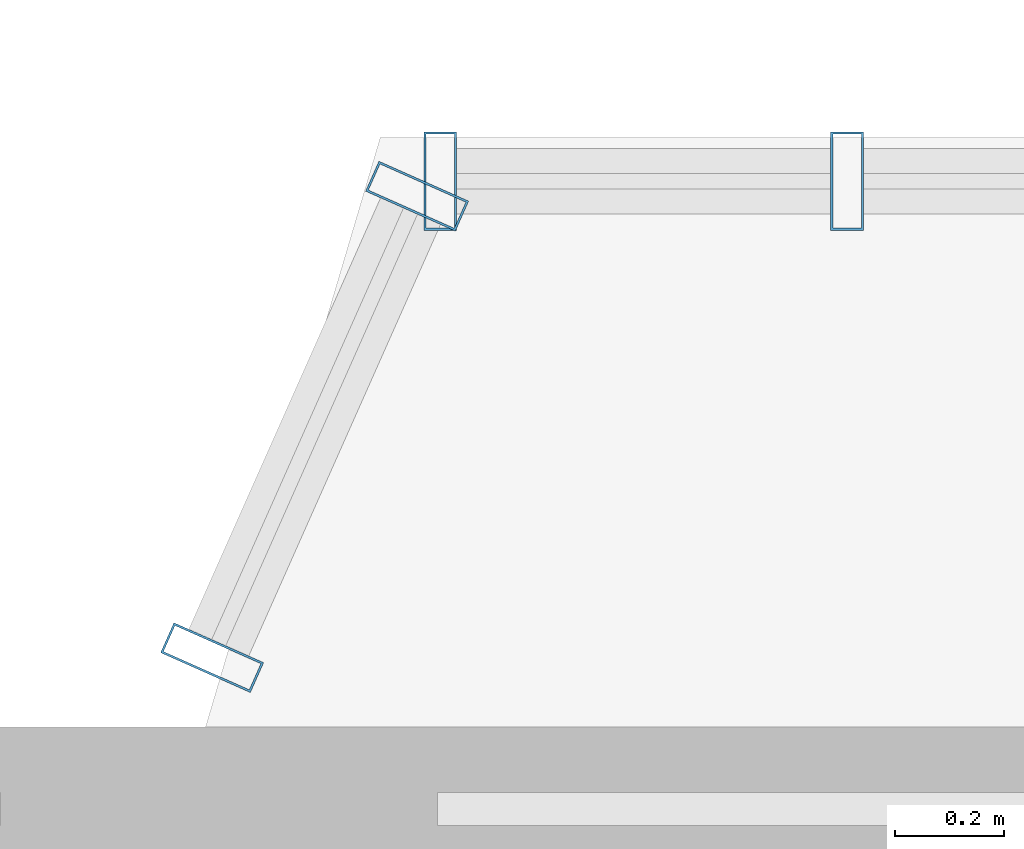
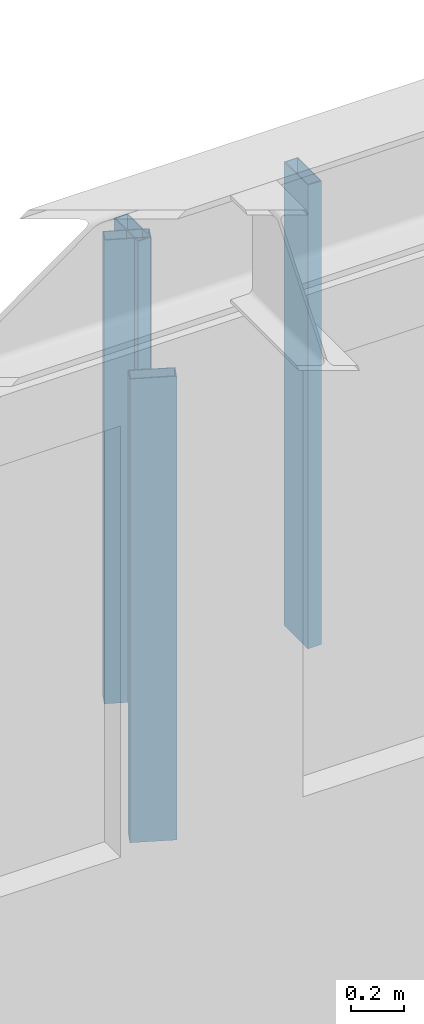
# One storey, part 22 of 153: 4 members, 2 elements without a shape of their own.
"""IFC4 building model written with IfcOpenShell, lengths in metres."""

from ifc_helpers import new_model, si_unit, direction, frame, origin, origin_2d, place, context, subcontext, project, spatial, hollow_rectangle, extrude, material, material_profile, profile_set, type_object, element, aggregate, save


model = new_model("IFC4")

# Units and contexts
model_context = context("Model", 3, precision=1e-05, world=origin(), true_north=direction((0.0, 1.0)))
body_context = subcontext(model_context, "Body", "Model", "MODEL_VIEW")
ifc_project = project(units=[si_unit("LENGTHUNIT", "METRE"), si_unit("AREAUNIT", "SQUARE_METRE"), si_unit("VOLUMEUNIT", "CUBIC_METRE"), si_unit("PLANEANGLEUNIT", "RADIAN"), si_unit("MASSUNIT", "GRAM", prefix="KILO")], contexts=[model_context])

# Site, building, storey
site_placement = place(None, origin())
site = spatial("IfcSite", under=ifc_project, at=site_placement, CompositionType="ELEMENT")
building_placement = place(site_placement, origin())
building = spatial("IfcBuilding", under=site, at=building_placement, Name="Kallimachos Central Library", CompositionType="ELEMENT")
storey_placement = place(building_placement, frame((0.0, 0.0, 5.39990234375)))
storey = spatial("IfcBuildingStorey", under=building, at=storey_placement, Name="L01", CompositionType="ELEMENT", Elevation=5.39990234375)

# Curtain wall, members
ifc_material_1 = material(Name="Laminated glass in anodised aluminium", Category="aluminium")
curtain_wall_type = type_object("IfcCurtainWallType", Name="Foyer curtain wall", PredefinedType="NOTDEFINED", material=ifc_material_1)
curtain_wall_1_placement = place(storey_placement, origin())
curtain_wall_1 = element("IfcCurtainWall", 1, at=curtain_wall_1_placement, inside=storey, type_object=curtain_wall_type, Name="Tribune bay return west", PredefinedType="NOTDEFINED")
ifc_material_2 = material(Name="Anodised aluminium", Category="aluminium")
ifc_material_profile = material_profile(ifc_material_2, hollow_rectangle(XDim=0.06005859375, YDim=0.179931640625, WallThickness=0.00390625, at=origin_2d()), Name="ALU MULLION 60x180")
ifc_profile_set = profile_set([ifc_material_profile], Name="Anodised aluminium")
member_type = type_object("IfcMemberType", Name="ALU MULLION 60x180 mullion", PredefinedType="MULLION", material=ifc_profile_set)
member_1_placement = place(storey_placement, frame((19.13720703125, 36.27734375, 1.10009765625), z_axis=(0.0, 0.0, 1.0), x_axis=(0.40613846606, 0.913811548617, 0.0)))
member_1 = element("IfcMember", 2, at=member_1_placement, type_object=member_type, Name="CW mullion 1", PredefinedType="MULLION", context=body_context, shape_type="SweptSolid", body=[
    extrude(hollow_rectangle(XDim=0.06005859375, YDim=0.179931640625, WallThickness=0.00390625, at=origin_2d()), origin(), (0.0, 0.0, 1.0), 2.14990234375),
])
member_2_placement = place(storey_placement, frame((19.5126953125, 37.12255859375, 1.10009765625), z_axis=(0.0, 0.0, 1.0), x_axis=(0.40613846606, 0.913811548617, 0.0)))
member_2 = element("IfcMember", 3, at=member_2_placement, type_object=member_type, Name="CW mullion 2", PredefinedType="MULLION", context=body_context, shape_type="SweptSolid", body=[
    extrude(hollow_rectangle(XDim=0.06005859375, YDim=0.179931640625, WallThickness=0.00390625, at=origin_2d()), origin(), (0.0, 0.0, 1.0), 2.14990234375),
])
aggregate(curtain_wall_1, [member_1, member_2])

curtain_wall_2_placement = place(storey_placement, origin())
curtain_wall_2 = element("IfcCurtainWall", 4, at=curtain_wall_2_placement, inside=storey, type_object=curtain_wall_type, Name="Tribune bay front", PredefinedType="NOTDEFINED")
member_3_placement = place(storey_placement, frame((19.554931640625, 37.14990234375, 1.10009765625), z_axis=(0.0, 0.0, 1.0), x_axis=(1.0, 0.0, 0.0)))
member_3 = element("IfcMember", 5, at=member_3_placement, type_object=member_type, Name="CW mullion 1", PredefinedType="MULLION", context=body_context, shape_type="SweptSolid", body=[
    extrude(hollow_rectangle(XDim=0.06005859375, YDim=0.179931640625, WallThickness=0.00390625, at=origin_2d()), origin(), (0.0, 0.0, 1.0), 2.14990234375),
])
member_4_placement = place(storey_placement, frame((20.300048828125, 37.14990234375, 1.10009765625), z_axis=(0.0, 0.0, 1.0), x_axis=(1.0, 0.0, 0.0)))
member_4 = element("IfcMember", 6, at=member_4_placement, type_object=member_type, Name="CW mullion 2", PredefinedType="MULLION", context=body_context, shape_type="SweptSolid", body=[
    extrude(hollow_rectangle(XDim=0.06005859375, YDim=0.179931640625, WallThickness=0.00390625, at=origin_2d()), origin(), (0.0, 0.0, 1.0), 2.14990234375),
])
aggregate(curtain_wall_2, [member_3, member_4])

save(model, "model.ifc")
